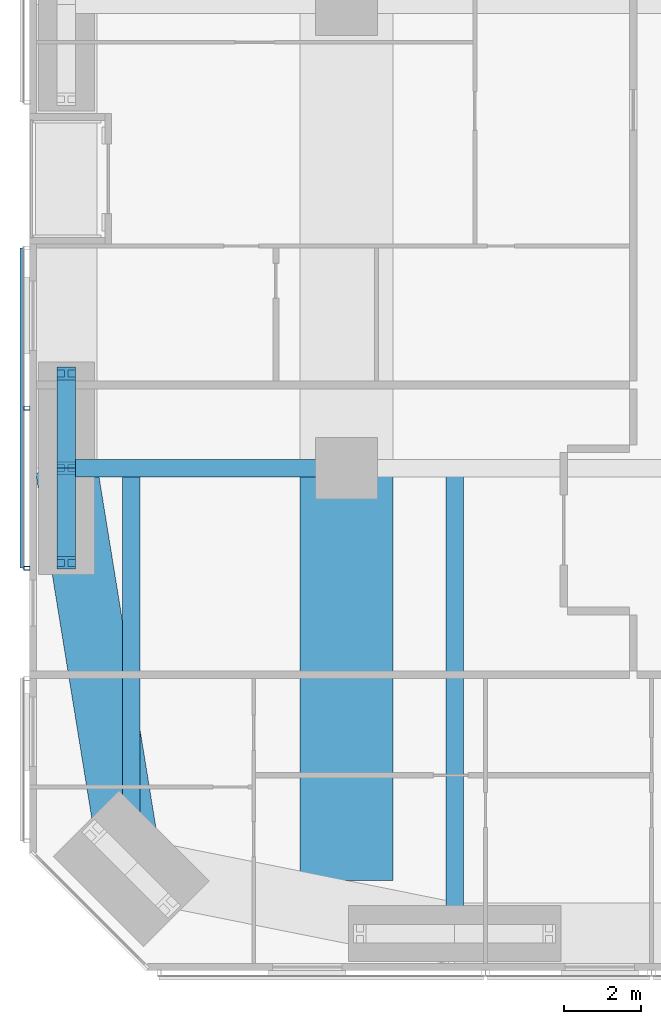
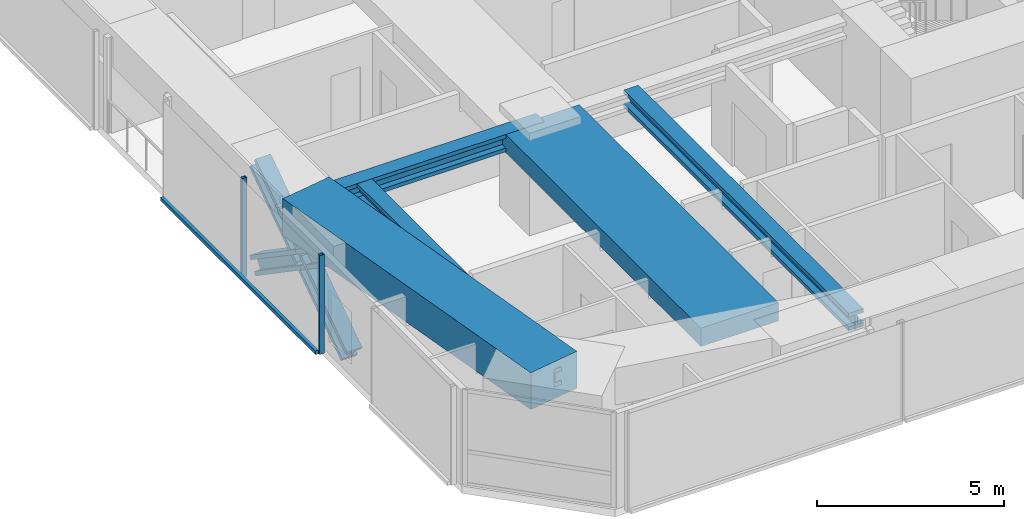
# One storey, part 3 of 24: 7 members, 5 beams, 1 element without a shape of its own.
"""IFC4 building model written with IfcOpenShell, lengths in metres."""

import ifcopenshell
import ifcopenshell.guid

model = None  # the IFC model being written
_history = None  # IfcOwnerHistory: only IFC2X3 demands one
_inside = {}  # id of a spatial element -> (the spatial element, [elements in it])
_under = {}  # id of a project, library or spatial element -> (it, [spatial elements below it])
_declared = {}  # id of a project -> (the project, [libraries it declares])
_typed = {}  # id of a type object -> (the type object, [elements of that type])
_made_of = {}  # id of a material, layer set ... -> (it, [elements and type objects made of it])


def new_model(schema):
    """Start an empty IFC model of exactly this schema.

    Asked for "IFC4X3", IfcOpenShell would pick the latest addendum, in which some entities
    have other attributes; the version numbers below select the first issue.
    IFC2X3 requires an IfcOwnerHistory on every rooted entity: one is made here for all.
    """
    global model, _history
    if schema == "IFC4X3":
        model = ifcopenshell.file(schema_version=(4, 3, 0, 0))
    else:
        model = ifcopenshell.file(schema=schema)
    _inside.clear()
    _under.clear()
    _declared.clear()
    _typed.clear()
    _made_of.clear()
    _history = None
    if model.schema == "IFC2X3":
        org = make("IfcOrganization", Name="unknown")
        user = make(
            "IfcPersonAndOrganization",
            ThePerson=make("IfcPerson", FamilyName="unknown"),
            TheOrganization=org,
        )
        app = make(
            "IfcApplication",
            ApplicationDeveloper=org,
            Version="unknown",
            ApplicationFullName="unknown",
            ApplicationIdentifier="unknown",
        )
        _history = make(
            "IfcOwnerHistory",
            OwningUser=user,
            OwningApplication=app,
            ChangeAction="ADDED",
            CreationDate=0,
        )
    return model


def make(cls, **values):
    """One entity of the class cls with the attributes given. An attribute that is None is left unset."""
    return model.create_entity(
        cls, **{name: value for name, value in values.items() if value is not None}
    )


def rooted(cls, **values):
    """An entity with a GlobalId (a new one), such as an element, a storey or a relation."""
    return make(cls, GlobalId=ifcopenshell.guid.new(), OwnerHistory=_history, **values)


def si_unit(unit_type, name, prefix=None):
    """IfcSIUnit, for example si_unit("LENGTHUNIT", "METRE", prefix="MILLI")."""
    return make("IfcSIUnit", UnitType=unit_type, Prefix=prefix, Name=name)


def assignment(units):
    """IfcUnitAssignment: the units of a project."""
    return None if units is None else make("IfcUnitAssignment", Units=units)


def point(xyz):
    """IfcCartesianPoint."""
    return None if xyz is None else make("IfcCartesianPoint", Coordinates=xyz)


def direction(xyz):
    """IfcDirection."""
    return None if xyz is None else make("IfcDirection", DirectionRatios=xyz)


def frame(location, z_axis=None, x_axis=None):
    """IfcAxis2Placement3D, a coordinate frame: its origin and axes. An axis left out is left unset."""
    return make(
        "IfcAxis2Placement3D",
        Location=point(location),
        Axis=direction(z_axis),
        RefDirection=direction(x_axis),
    )


def frame_2d(location, x_axis=None):
    """IfcAxis2Placement2D, a coordinate frame in the plane: its origin and x axis."""
    return make(
        "IfcAxis2Placement2D", Location=point(location), RefDirection=direction(x_axis)
    )


def origin():
    """The frame at (0, 0, 0) with its axes left unset."""
    return frame((0.0, 0.0, 0.0))


def origin_2d():
    """The frame at (0, 0) in the plane with its x axis left unset."""
    return frame_2d((0.0, 0.0))


def place(relative_to, where):
    """IfcLocalPlacement: puts the frame where relative to a parent placement (None: the world)."""
    return make(
        "IfcLocalPlacement", PlacementRelTo=relative_to, RelativePlacement=where
    )


def context(
    kind, dimensions, precision=None, world=None, true_north=None, identifier=None
):
    """IfcGeometricRepresentationContext, for example the 3D "Model" context."""
    return make(
        "IfcGeometricRepresentationContext",
        ContextIdentifier=identifier,
        ContextType=kind,
        CoordinateSpaceDimension=dimensions,
        Precision=precision,
        WorldCoordinateSystem=world,
        TrueNorth=true_north,
    )


def subcontext(parent, identifier, kind, view, scale=None):
    """IfcGeometricRepresentationSubContext, for example "Body" below "Model"."""
    return make(
        "IfcGeometricRepresentationSubContext",
        ContextIdentifier=identifier,
        ContextType=kind,
        ParentContext=parent,
        TargetScale=scale,
        TargetView=view,
    )


def project(units=None, contexts=None):
    """IfcProject with its units and contexts."""
    return rooted(
        "IfcProject",
        Name="project",
        RepresentationContexts=contexts,
        UnitsInContext=assignment(units),
    )


def spatial(cls, under=None, at=None, **own):
    """A site, building, storey or space (cls), placed at a placement, below another one or the project."""
    s = rooted(cls, ObjectPlacement=at, **own)
    if under is not None:
        _under.setdefault(under.id(), (under, []))[1].append(s)
    return s


def profile(cls, at=None, kind="AREA", **sizes):
    """A parametric profile (cls). Its sizes go by their IFC names, for example OverallWidth=200.0."""
    return make(cls, ProfileType=kind, Position=at, **sizes)


def rectangle(**sizes):
    """IfcRectangleProfileDef."""
    return profile("IfcRectangleProfileDef", **sizes)


def hollow_rectangle(**sizes):
    """IfcRectangleHollowProfileDef."""
    return profile("IfcRectangleHollowProfileDef", **sizes)


def i_section(**sizes):
    """IfcIShapeProfileDef."""
    return profile("IfcIShapeProfileDef", **sizes)


def extrude(swept, where, along, depth):
    """IfcExtrudedAreaSolid: the profile swept, set in the frame where, extruded along a direction by depth."""
    return make(
        "IfcExtrudedAreaSolid",
        SweptArea=swept,
        Position=where,
        ExtrudedDirection=direction(along),
        Depth=depth,
    )


def shape(context_of_items, identifier, shape_type, items):
    """IfcShapeRepresentation: the items that make up one representation, for example the "Body"."""
    return make(
        "IfcShapeRepresentation",
        ContextOfItems=context_of_items,
        RepresentationIdentifier=identifier,
        RepresentationType=shape_type,
        Items=items,
    )


def material(Name=None, Category=None):
    """IfcMaterial."""
    return make("IfcMaterial", Name=Name, Category=Category)


def material_profile(
    of_material, cross_section, Name=None, Category=None, Priority=None
):
    """IfcMaterialProfile: a cross section and its material."""
    return make(
        "IfcMaterialProfile",
        Name=Name,
        Material=of_material,
        Profile=cross_section,
        Priority=Priority,
        Category=Category,
    )


def profile_set(profiles, Name=None, composite=None):
    """IfcMaterialProfileSet."""
    return make(
        "IfcMaterialProfileSet",
        Name=Name,
        MaterialProfiles=profiles,
        CompositeProfile=composite,
    )


def made_of(thing, what):
    """Note that an element or type object is made of a material, layer set ...; save() writes the relation."""
    if what is not None:
        _made_of.setdefault(what.id(), (what, []))[1].append(thing)
    return thing


def type_object(cls, material=None, **own):
    """A type object (cls), such as IfcWallType, which elements share."""
    return made_of(rooted(cls, **own), material)


def element(
    cls,
    number,
    at=None,
    inside=None,
    cuts=None,
    type_object=None,
    material=None,
    context=None,
    identifier="Body",
    shape_type=None,
    held_by="IfcProductDefinitionShape",
    body=None,
    shapes=None,
    **own,
):
    """One element of the class cls, such as IfcWall. Its Tag is "e" and its number.

    at: its placement. inside: the storey or other place that contains it. cuts: it is an
    opening in that element (IfcRelVoidsElement). A single representation is given by context,
    identifier, shape_type and body (its items); several are given by shapes. held_by: the class
    of the entity that holds the representations. save() writes the other relations.
    """
    e = rooted(cls, Tag="e%d" % number, ObjectPlacement=at, **own)
    if body is not None:
        shapes = [shape(context, identifier, shape_type, body)]
    if shapes is not None:
        e.Representation = make(held_by, Representations=shapes)
    if inside is not None:
        _inside.setdefault(inside.id(), (inside, []))[1].append(e)
    if cuts is not None:
        rooted(
            "IfcRelVoidsElement", RelatingBuildingElement=cuts, RelatedOpeningElement=e
        )
    if type_object is not None:
        _typed.setdefault(type_object.id(), (type_object, []))[1].append(e)
    return made_of(e, material)


def aggregate(whole, parts):
    """IfcRelAggregates: a whole, such as a stair, and the parts it consists of."""
    return rooted("IfcRelAggregates", RelatingObject=whole, RelatedObjects=parts)


def save(model, path):
    """Write the relations noted so far, then the file.

    IfcRelAggregates (storeys below a building ...), IfcRelContainedInSpatialStructure (elements
    in a storey), IfcRelDefinesByType, IfcRelAssociatesMaterial and IfcRelDeclares: one each for
    every whole, place, type object, material and project.
    """
    for whole, parts in _under.values():
        aggregate(whole, parts)
    for where, things in _inside.values():
        rooted(
            "IfcRelContainedInSpatialStructure",
            RelatedElements=things,
            RelatingStructure=where,
        )
    for kind, things in _typed.values():
        rooted("IfcRelDefinesByType", RelatedObjects=things, RelatingType=kind)
    for what, things in _made_of.values():
        rooted("IfcRelAssociatesMaterial", RelatedObjects=things, RelatingMaterial=what)
    for by, libraries in _declared.values():
        rooted("IfcRelDeclares", RelatingContext=by, RelatedDefinitions=libraries)
    model.write(path)


model = new_model("IFC4")

# Units and contexts
model_context = context("Model", 3, precision=1e-05, world=origin(), true_north=direction((0.0, 1.0)))
body_context = subcontext(model_context, "Body", "Model", "MODEL_VIEW")
ifc_project = project(units=[si_unit("LENGTHUNIT", "METRE"), si_unit("AREAUNIT", "SQUARE_METRE"), si_unit("VOLUMEUNIT", "CUBIC_METRE"), si_unit("PLANEANGLEUNIT", "RADIAN"), si_unit("MASSUNIT", "GRAM", prefix="KILO")], contexts=[model_context])

# Site, building, storey
site_placement = place(None, origin())
site = spatial("IfcSite", under=ifc_project, at=site_placement, CompositionType="ELEMENT")
building_placement = place(site_placement, origin())
building = spatial("IfcBuilding", under=site, at=building_placement, Name="Jalousie Tower", CompositionType="ELEMENT")
storey_placement = place(building_placement, frame((0.0, 0.0, 51.14990234375)))
storey = spatial("IfcBuildingStorey", under=building, at=storey_placement, Name="L13", CompositionType="ELEMENT", Elevation=51.14990234375)

# Beams
ifc_material_1 = material(Name="Steel ASTM A992 Grade 50", Category="steel")
ifc_material_profile_1 = material_profile(ifc_material_1, i_section(OverallWidth=0.45458984375, OverallDepth=0.569091796875, WebThickness=0.077880859375, FlangeThickness=0.124755859375, at=origin_2d()), Name="W14X730")
ifc_profile_set_1 = profile_set([ifc_material_profile_1], Name="Steel ASTM A992 Grade 50")
beam_type_1 = type_object("IfcBeamType", Name="LEAN COLLECTOR W14X730", PredefinedType="BEAM", material=ifc_profile_set_1)
beam_1_placement = place(storey_placement, frame((2.949951171875, 13.0, 2.82568359375), z_axis=(1.0, 0.0, 0.0), x_axis=(0.0, 1.0, 0.0)))
element("IfcBeam", 1, at=beam_1_placement, inside=storey, type_object=beam_type_1, Name="Lean collector under L14", PredefinedType="BEAM", context=body_context, shape_type="SweptSolid", body=[
    extrude(i_section(OverallWidth=0.45458984375, OverallDepth=0.569091796875, WebThickness=0.077880859375, FlangeThickness=0.124755859375, at=origin_2d()), origin(), (0.0, 0.0, 1.0), 7.25),
])
beam_2_placement = place(storey_placement, frame((4.63134765625, 2.63134765625, 2.82568359375), z_axis=(0.0, 1.0, 0.0), x_axis=(-1.0, 0.0, 0.0)))
element("IfcBeam", 2, at=beam_2_placement, inside=storey, type_object=beam_type_1, Name="Lean collector under L14", PredefinedType="BEAM", context=body_context, shape_type="SweptSolid", body=[
    extrude(i_section(OverallWidth=0.45458984375, OverallDepth=0.569091796875, WebThickness=0.077880859375, FlangeThickness=0.124755859375, at=origin_2d()), origin(), (0.0, 0.0, 1.0), 10.36865234375),
])
beam_3_placement = place(storey_placement, frame((13.0, 0.949951171875, 2.82568359375), z_axis=(0.0, 1.0, 0.0), x_axis=(-1.0, 0.0, 0.0)))
element("IfcBeam", 3, at=beam_3_placement, inside=storey, type_object=beam_type_1, Name="Lean collector under L14", PredefinedType="BEAM", context=body_context, shape_type="SweptSolid", body=[
    extrude(i_section(OverallWidth=0.45458984375, OverallDepth=0.569091796875, WebThickness=0.077880859375, FlangeThickness=0.124755859375, at=origin_2d()), origin(), (0.0, 0.0, 1.0), 12.050048828125),
])

# Members
ifc_material_2 = material(Name="Steel ASTM A992 Grade 50", Category="steel")
ifc_material_profile_2 = material_profile(ifc_material_2, i_section(OverallWidth=0.472412109375, OverallDepth=0.5791015625, WebThickness=0.094970703125, FlangeThickness=0.1298828125, at=origin_2d()), Name="W14X808")
ifc_profile_set_2 = profile_set([ifc_material_profile_2], Name="Steel ASTM A992 Grade 50")
member_type_1 = type_object("IfcMemberType", Name="PERIMETER BRACE W14X808", PredefinedType="BRACE", material=ifc_profile_set_2)
for number, where, z_axis, x_axis, name in (
    (4, (2.949951171875, 10.550048828125, -0.599853515625), (0.0, 0.825500916831, 0.564400776321), (-1.0, 0.0, 0.0), "Perimeter brace 14 L13 part 1"),
    (5, (2.949951171875, 13.0, 1.0751953125), (0.0, 0.825539243753, 0.564344714713), (-1.0, 0.0, 0.0), "Perimeter brace 14 L13 part 2"),
    (6, (2.949951171875, 15.449951171875, -0.599853515625), (0.0, -0.825500916831, 0.564400776321), (1.0, 0.0, 0.0), "Perimeter brace 14 L13 part 3"),
    (7, (2.949951171875, 13.0, 1.0751953125), (0.0, -0.825539243753, 0.564344714713), (1.0, 0.0, 0.0), "Perimeter brace 14 L13 part 4"),
):
    element("IfcMember", number, at=place(storey_placement, frame(where, z_axis=z_axis, x_axis=x_axis)), inside=storey, type_object=member_type_1, Name=name, PredefinedType="BRACE", context=body_context, shape_type="SweptSolid", body=[
        extrude(i_section(OverallWidth=0.472412109375, OverallDepth=0.5791015625, WebThickness=0.094970703125, FlangeThickness=0.1298828125, at=origin_2d()), origin(), (0.0, 0.0, 1.0), 2.9677734375),
    ])

# Beams
ifc_material_3 = material(Name="Concrete f'c 40 MPa", Category="concrete")
ifc_material_profile_3 = material_profile(ifc_material_3, rectangle(XDim=1.60009765625, YDim=1.199951171875, at=origin_2d()), Name="RC 1600x1200")
ifc_profile_set_3 = profile_set([ifc_material_profile_3], Name="Concrete f'c 40 MPa")
beam_type_2 = type_object("IfcBeamType", Name="RC BEAM 1600x1200", PredefinedType="BEAM", material=ifc_profile_set_3)
beam_4_placement = place(storey_placement, frame((2.949951171875, 13.0, 2.75), z_axis=(0.160070546476, -0.987105577003, 0.0), x_axis=(0.987105577003, 0.160070546476, 0.0)))
element("IfcBeam", 8, at=beam_4_placement, inside=storey, type_object=beam_type_2, Name="Edge band beam 14-01 under L14", PredefinedType="BEAM", context=body_context, shape_type="SweptSolid", body=[
    extrude(rectangle(XDim=1.60009765625, YDim=1.199951171875, at=origin_2d()), origin(), (0.0, 0.0, 1.0), 10.504150390625),
])
ifc_material_4 = material(Name="Concrete f'c 40 MPa", Category="concrete")
ifc_material_profile_4 = material_profile(ifc_material_4, rectangle(XDim=2.39990234375, YDim=0.60009765625, at=origin_2d()), Name="RC 2400x600")
ifc_profile_set_4 = profile_set([ifc_material_profile_4], Name="Concrete f'c 40 MPa")
beam_type_3 = type_object("IfcBeamType", Name="RC BEAM 2400x600", PredefinedType="BEAM", material=ifc_profile_set_4)
beam_5_placement = place(storey_placement, frame((10.199951171875, 13.0, 2.81005859375), z_axis=(0.0, -1.0, 0.0), x_axis=(1.0, 0.0, 0.0)))
element("IfcBeam", 9, at=beam_5_placement, inside=storey, type_object=beam_type_3, Name="Floor band beam under L14", PredefinedType="BEAM", context=body_context, shape_type="SweptSolid", body=[
    extrude(rectangle(XDim=2.39990234375, YDim=0.60009765625, at=origin_2d()), origin(), (0.0, 0.0, 1.0), 10.67138671875),
])

# Curtain wall, members
ifc_material_5 = material(Name="Perforated aluminium sheet", Category="aluminium")
curtain_wall_type = type_object("IfcCurtainWallType", Name="SOLAR SCREEN SS-1", PredefinedType="USERDEFINED", material=ifc_material_5)
curtain_wall_placement = place(storey_placement, origin())
curtain_wall = element("IfcCurtainWall", 10, at=curtain_wall_placement, inside=storey, type_object=curtain_wall_type, Name="Solar screen L13", ObjectType="SOLAR SCREEN SS-1", PredefinedType="USERDEFINED")
ifc_material_6 = material(Name="Steel ASTM A500 Grade C", Category="steel")
ifc_material_profile_5 = material_profile(ifc_material_6, hollow_rectangle(XDim=0.1015625, YDim=0.15234375, WallThickness=0.00634765625, at=origin_2d()), Name="HSS6X4X1/4")
ifc_profile_set_5 = profile_set([ifc_material_profile_5], Name="Steel ASTM A500 Grade C")
member_type_2 = type_object("IfcMemberType", Name="SOLAR SCREEN SS-1 MULLION", PredefinedType="MULLION", material=ifc_profile_set_5)
member_1_placement = place(storey_placement, frame((1.9287109375, 14.554931640625, -0.119873046875), z_axis=(0.0, 0.0, 1.0), x_axis=(0.0, -1.0, 0.0)))
member_1 = element("IfcMember", 11, at=member_1_placement, type_object=member_type_2, Name="SS1 post 2", PredefinedType="MULLION", context=body_context, shape_type="SweptSolid", body=[
    extrude(hollow_rectangle(XDim=0.1015625, YDim=0.15234375, WallThickness=0.00634765625, at=origin_2d()), origin(), (0.0, 0.0, 1.0), 3.22998046875),
])
member_2_placement = place(storey_placement, frame((1.9287109375, 10.409912109375, -0.119873046875), z_axis=(0.0, 0.0, 1.0), x_axis=(0.0, -1.0, 0.0)))
member_2 = element("IfcMember", 12, at=member_2_placement, type_object=member_type_2, Name="SS1 post 3", PredefinedType="MULLION", context=body_context, shape_type="SweptSolid", body=[
    extrude(hollow_rectangle(XDim=0.1015625, YDim=0.15234375, WallThickness=0.00634765625, at=origin_2d()), origin(), (0.0, 0.0, 1.0), 3.22998046875),
])
ifc_material_7 = material(Name="Extruded aluminium screen rail", Category="aluminium")
ifc_material_profile_6 = material_profile(ifc_material_7, rectangle(XDim=0.1015625, YDim=0.1201171875, at=origin_2d()), Name="RAIL 102x120")
ifc_profile_set_6 = profile_set([ifc_material_profile_6], Name="Extruded aluminium screen rail")
member_type_3 = type_object("IfcMemberType", Name="SOLAR SCREEN SS-1 TRANSOM", PredefinedType="USERDEFINED", material=ifc_profile_set_6)
member_3_placement = place(storey_placement, frame((1.8017578125, 18.699951171875, -0.059814453125), z_axis=(0.0, -1.0, 0.0), x_axis=(1.0, 0.0, 0.0)))
member_3 = element("IfcMember", 13, at=member_3_placement, type_object=member_type_3, Name="SS1 rail", ObjectType="TRANSOM", PredefinedType="USERDEFINED", context=body_context, shape_type="SweptSolid", body=[
    extrude(rectangle(XDim=0.1015625, YDim=0.1201171875, at=origin_2d()), origin(), (0.0, 0.0, 1.0), 8.2900390625),
])
aggregate(curtain_wall, [member_1, member_2, member_3])

save(model, "model.ifc")
